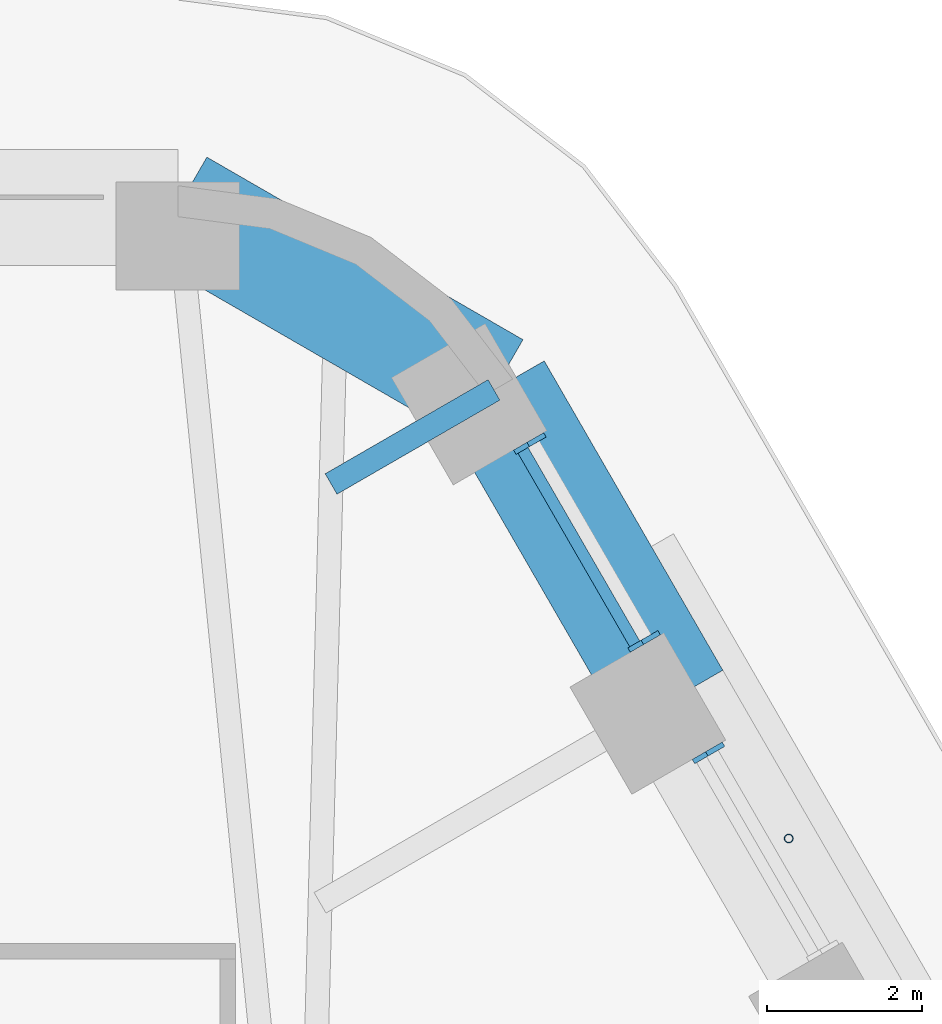
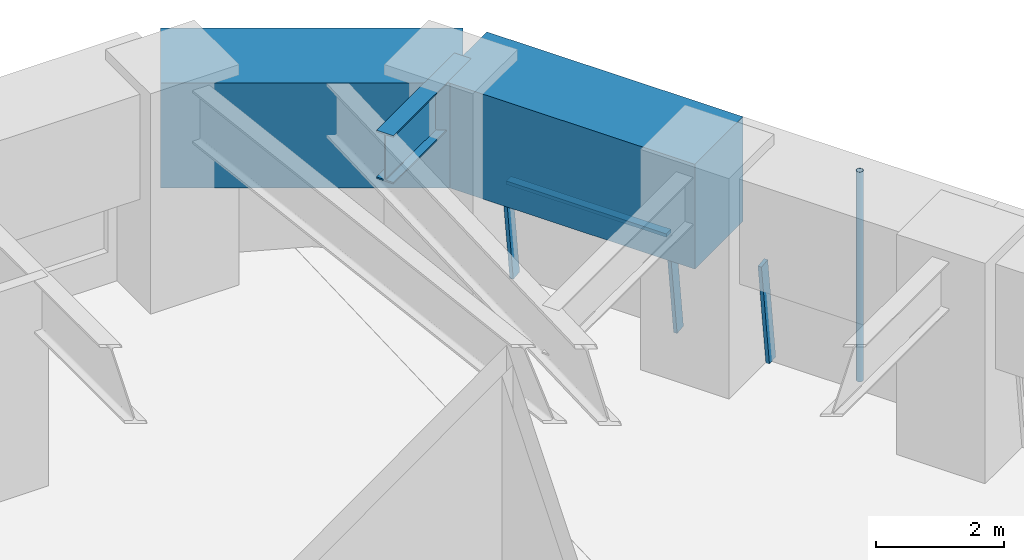
# One storey, part 12 of 20: 5 members, 3 beams, 2 elements without a shape of their own.
"""IFC4 building model written with IfcOpenShell, lengths in metres."""

from ifc_helpers import new_model, si_unit, direction, frame, origin, origin_2d, place, context, subcontext, project, spatial, rectangle, hollow_circle, i_section, extrude, material, material_profile, profile_set, type_object, element, aggregate, save


model = new_model("IFC4")

# Units and contexts
model_context = context("Model", 3, precision=1e-05, world=origin(), true_north=direction((0.0, 1.0)))
body_context = subcontext(model_context, "Body", "Model", "MODEL_VIEW")
ifc_project = project(units=[si_unit("LENGTHUNIT", "METRE"), si_unit("AREAUNIT", "SQUARE_METRE"), si_unit("VOLUMEUNIT", "CUBIC_METRE"), si_unit("PLANEANGLEUNIT", "RADIAN"), si_unit("MASSUNIT", "GRAM", prefix="KILO")], contexts=[model_context])

# Site, building, storey
site_placement = place(None, origin())
site = spatial("IfcSite", under=ifc_project, at=site_placement, CompositionType="ELEMENT")
building_placement = place(site_placement, origin())
building = spatial("IfcBuilding", under=site, at=building_placement, Name="Tarfa Lantern Tower", CompositionType="ELEMENT")
storey_placement = place(building_placement, frame((0.0, 0.0, 228.10009765625)))
storey = spatial("IfcBuildingStorey", under=building, at=storey_placement, Name="L51", CompositionType="ELEMENT", Elevation=228.10009765625)

# Curtain wall, member
ifc_material_1 = material(Name="Aluminium framed curtain wall", Category="aluminium")
curtain_wall_type = type_object("IfcCurtainWallType", Name="CW3 CANTED GLAZING HIGH ZONE 2000", PredefinedType="USERDEFINED", material=ifc_material_1)
curtain_wall_1_placement = place(storey_placement, origin())
curtain_wall_1 = element("IfcCurtainWall", 1, at=curtain_wall_1_placement, inside=storey, type_object=curtain_wall_type, Name="CW3 NE L51", ObjectType="CURTAIN WALL", PredefinedType="USERDEFINED")
ifc_material_2 = material(Name="Aluminium mullion", Category="aluminium")
ifc_material_profile_1 = material_profile(ifc_material_2, rectangle(XDim=0.06494140625, YDim=0.199951171875, at=origin_2d()), Name="AL MULLION 65x200")
ifc_profile_set_1 = profile_set([ifc_material_profile_1], Name="Aluminium mullion")
member_type_1 = type_object("IfcMemberType", Name="CWM1 MULLION 65x200", PredefinedType="MULLION", material=ifc_profile_set_1)
member_1_placement = place(storey_placement, frame((20.82568359375, 21.72900390625, 0.0), z_axis=(-0.107439978116, -0.062017213975, 0.992275423596), x_axis=(0.499919672301, -0.866071776036, 0.0)))
member_1 = element("IfcMember", 2, at=member_1_placement, type_object=member_type_1, Name="CW3 mullion 2", PredefinedType="MULLION", context=body_context, shape_type="SweptSolid", body=[
    extrude(rectangle(XDim=0.06494140625, YDim=0.199951171875, at=origin_2d()), origin(), (0.0, 0.0, 1.0), 2.015625),
])
aggregate(curtain_wall_1, [member_1])

# Curtain wall, members
curtain_wall_2_placement = place(storey_placement, origin())
curtain_wall_2 = element("IfcCurtainWall", 3, at=curtain_wall_2_placement, inside=storey, type_object=curtain_wall_type, Name="CW3 NE L51", ObjectType="CURTAIN WALL", PredefinedType="USERDEFINED")
member_2_placement = place(storey_placement, frame((19.9931640625, 23.1708984375, 0.0), z_axis=(-0.107439978116, -0.062017213975, 0.992275423596), x_axis=(0.499919672301, -0.866071776036, 0.0)))
member_2 = element("IfcMember", 4, at=member_2_placement, type_object=member_type_1, Name="CW3 mullion 1", PredefinedType="MULLION", context=body_context, shape_type="SweptSolid", body=[
    extrude(rectangle(XDim=0.06494140625, YDim=0.199951171875, at=origin_2d()), origin(), (0.0, 0.0, 1.0), 2.015625),
])
member_3_placement = place(storey_placement, frame((18.51611328125, 25.72900390625, 0.0), z_axis=(-0.107439978116, -0.062017213975, 0.992275423596), x_axis=(0.499919672301, -0.866071776036, 0.0)))
member_3 = element("IfcMember", 5, at=member_3_placement, type_object=member_type_1, Name="CW3 mullion 2", PredefinedType="MULLION", context=body_context, shape_type="SweptSolid", body=[
    extrude(rectangle(XDim=0.06494140625, YDim=0.199951171875, at=origin_2d()), origin(), (0.0, 0.0, 1.0), 2.015625),
])
ifc_material_3 = material(Name="Aluminium transom", Category="aluminium")
ifc_material_profile_2 = material_profile(ifc_material_3, rectangle(XDim=0.14990234375, YDim=0.06494140625, at=origin_2d()), Name="AL TRANSOM 150x65")
ifc_profile_set_2 = profile_set([ifc_material_profile_2], Name="Aluminium transom")
member_type_2 = type_object("IfcMemberType", Name="CWT1 TRANSOM 150x65", PredefinedType="USERDEFINED", material=ifc_profile_set_2)
member_4_placement = place(storey_placement, frame((19.763916015625, 23.076171875, 1.96728515625), z_axis=(-0.500056524144, 0.865992767095, 0.0), x_axis=(-0.865992767095, -0.500056524144, 0.0)))
member_4 = element("IfcMember", 6, at=member_4_placement, type_object=member_type_2, Name="CW3 transom 1.2", ObjectType="TRANSOM", PredefinedType="USERDEFINED", context=body_context, shape_type="SweptSolid", body=[
    extrude(rectangle(XDim=0.14990234375, YDim=0.06494140625, at=origin_2d()), origin(), (0.0, 0.0, 1.0), 2.888916015625),
])
aggregate(curtain_wall_2, [member_2, member_3, member_4])

# Beams
ifc_material_4 = material(Name="Concrete C80/95", Category="concrete")
ifc_material_profile_3 = material_profile(ifc_material_4, rectangle(XDim=1.5, YDim=2.0, at=origin_2d()), Name="RC 1500x2000")
ifc_profile_set_3 = profile_set([ifc_material_profile_3], Name="Concrete C80/95")
beam_type_1 = type_object("IfcBeamType", Name="RB3 RC 1500x2000", PredefinedType="BEAM", material=ifc_profile_set_3)
beam_1_placement = place(storey_placement, frame((20.25341796875, 22.360107421875, 3.0), z_axis=(-0.499987836815, 0.866032426089, 0.0), x_axis=(-0.866032426089, -0.499987836815, 0.0)))
element("IfcBeam", 7, at=beam_1_placement, inside=storey, type_object=beam_type_1, Name="Edge beam NE5", PredefinedType="BEAM", context=body_context, shape_type="SweptSolid", body=[
    extrude(rectangle(XDim=1.5, YDim=2.0, at=origin_2d()), origin(), (0.0, 0.0, 1.0), 4.61865234375),
])
beam_2_placement = place(storey_placement, frame((17.944091796875, 26.360107421875, 3.0), z_axis=(-0.866038294681, 0.499977671647, 0.0), x_axis=(-0.499977671647, -0.866038294681, 0.0)))
element("IfcBeam", 8, at=beam_2_placement, inside=storey, type_object=beam_type_1, Name="Edge beam NE6", PredefinedType="BEAM", context=body_context, shape_type="SweptSolid", body=[
    extrude(rectangle(XDim=1.5, YDim=2.0, at=origin_2d()), origin(), (0.0, 0.0, 1.0), 4.719970703125),
])

# Member
ifc_material_5 = material(Name="Steel S355", Category="steel")
ifc_material_profile_4 = material_profile(ifc_material_5, hollow_circle(Radius=0.05712890625, WallThickness=0.00634765625, at=origin_2d()), Name="CHS114.3x6.3")
ifc_profile_set_4 = profile_set([ifc_material_profile_4], Name="Steel S355")
member_type_3 = type_object("IfcMemberType", Name="TR1 GREEN WALL TRELLIS CHS114.3x6.3", PredefinedType="USERDEFINED", material=ifc_profile_set_4)
member_5_placement = place(storey_placement, frame((21.754638671875, 20.56005859375, 0.0), z_axis=(0.0, 0.0, 1.0), x_axis=(1.0, 0.0, 0.0)))
element("IfcMember", 9, at=member_5_placement, inside=storey, type_object=member_type_3, Name="Trellis post NE 2", ObjectType="TRELLIS", PredefinedType="USERDEFINED", context=body_context, shape_type="SweptSolid", body=[
    extrude(hollow_circle(Radius=0.05712890625, WallThickness=0.00634765625, at=origin_2d()), origin(), (0.0, 0.0, 1.0), 4.0),
])

# Beam
ifc_material_6 = material(Name="Steel S460M", Category="steel")
ifc_material_profile_5 = material_profile(ifc_material_6, i_section(OverallWidth=0.305419921875, OverallDepth=0.91845703125, WebThickness=0.017333984375, FlangeThickness=0.02783203125, FilletRadius=0.01904296875, at=origin_2d()), Name="UB914x305x253")
ifc_profile_set_5 = profile_set([ifc_material_profile_5], Name="Steel S460M")
beam_type_2 = type_object("IfcBeamType", Name="UB914x305x253", PredefinedType="BEAM", material=ifc_profile_set_5)
beam_3_placement = place(storey_placement, frame((17.944091796875, 26.360107421875, 3.540771484375), z_axis=(-0.865980009423, -0.5000786171, 0.0), x_axis=(0.5000786171, -0.865980009423, 0.0)))
element("IfcBeam", 10, at=beam_3_placement, inside=storey, type_object=beam_type_2, Name="Floor beam NE6", PredefinedType="BEAM", context=body_context, shape_type="SweptSolid", body=[
    extrude(i_section(OverallWidth=0.305419921875, OverallDepth=0.91845703125, WebThickness=0.017333984375, FlangeThickness=0.02783203125, FilletRadius=0.01904296875, at=origin_2d()), origin(), (0.0, 0.0, 1.0), 2.4326171875),
])

save(model, "model.ifc")
